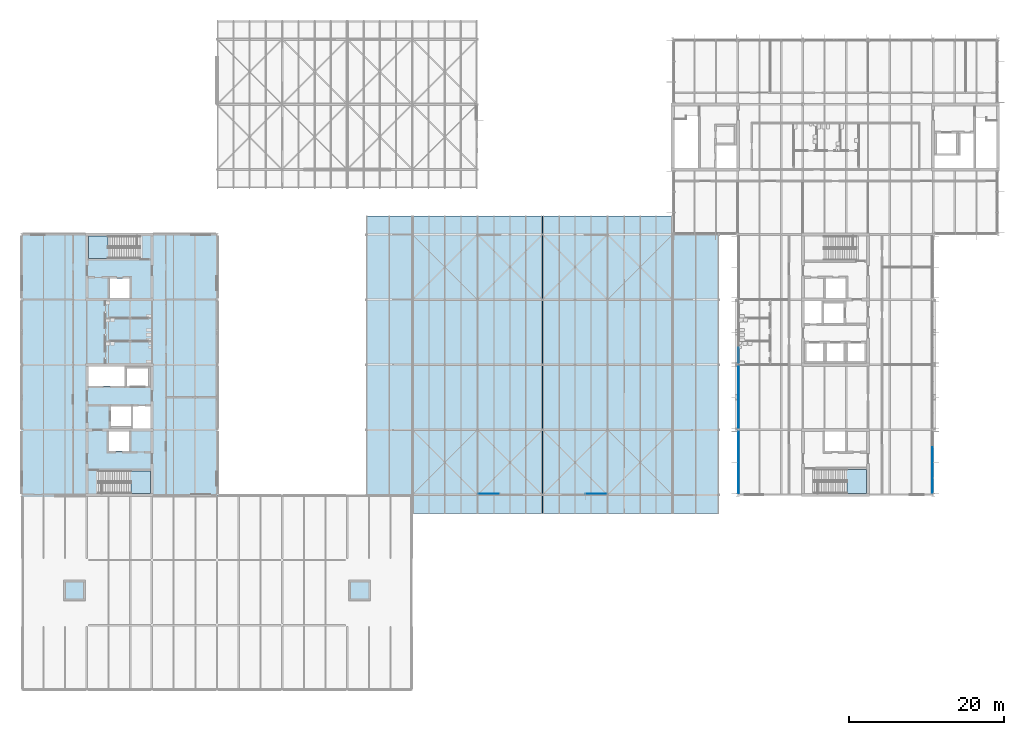
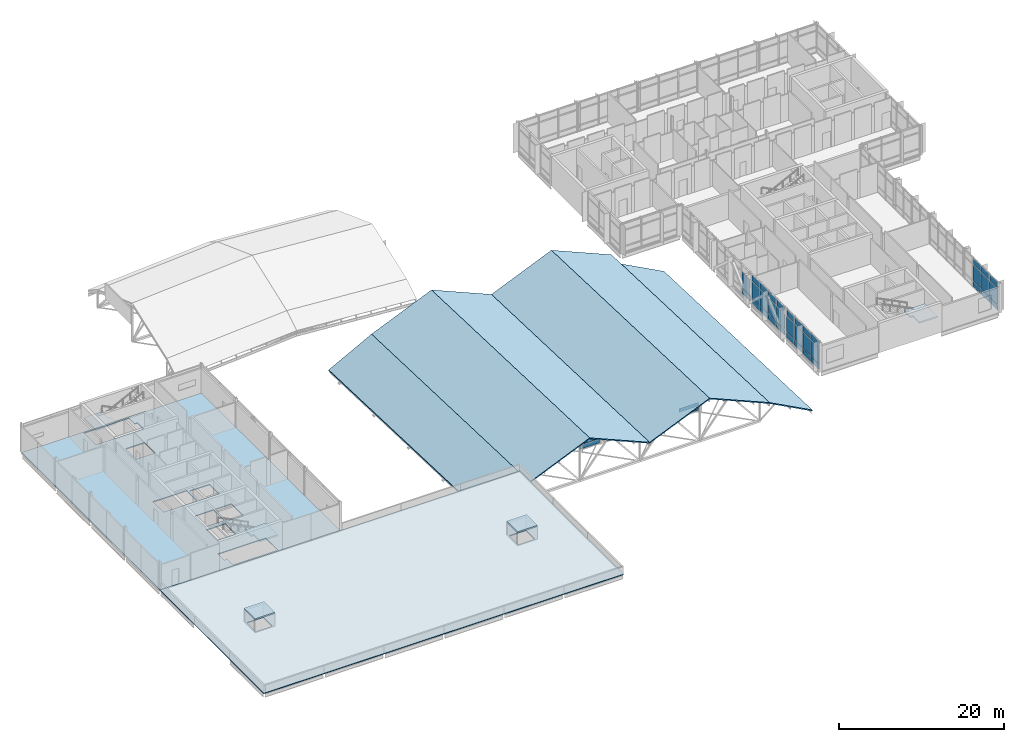
# One storey, part 27 of 76: 39 plates, 13 slabs, 9 elements without a shape of their own.
"""IFC4 building model written with IfcOpenShell, lengths in metres."""

from ifc_helpers import new_model, si_unit, direction, frame, origin, origin_2d, place, context, subcontext, project, spatial, polyline, rectangle, outline, extrude, material, layer, layer_set, type_object, element, aggregate, save


model = new_model("IFC4")

# Units and contexts
model_context = context("Model", 3, precision=1e-05, world=origin(), true_north=direction((0.0, 1.0)))
body_context = subcontext(model_context, "Body", "Model", "MODEL_VIEW")
ifc_project = project(units=[si_unit("LENGTHUNIT", "METRE"), si_unit("AREAUNIT", "SQUARE_METRE"), si_unit("VOLUMEUNIT", "CUBIC_METRE"), si_unit("PLANEANGLEUNIT", "RADIAN"), si_unit("MASSUNIT", "GRAM", prefix="KILO")], contexts=[model_context])

# Site, building, storey
site_placement = place(None, origin())
site = spatial("IfcSite", under=ifc_project, at=site_placement, CompositionType="ELEMENT")
building_placement = place(site_placement, origin())
building = spatial("IfcBuilding", under=site, at=building_placement, Name="Hlaing Beacon Police Headquarters", CompositionType="ELEMENT")
storey_placement = place(building_placement, frame((0.0, 0.0, 18.89990234375)))
storey = spatial("IfcBuildingStorey", under=building, at=storey_placement, Name="L04", CompositionType="ELEMENT", Elevation=18.89990234375)

# Curtain wall, plate
ifc_material_1 = material(Name="Aluminium frame with solar control glazing", Category="aluminium")
curtain_wall_type_1 = type_object("IfcCurtainWallType", Name="Unitised curtain wall 8.01 x 4.37", PredefinedType="NOTDEFINED", material=ifc_material_1)
curtain_wall_1_placement = place(storey_placement, origin())
curtain_wall_1 = element("IfcCurtainWall", 1, at=curtain_wall_1_placement, inside=storey, type_object=curtain_wall_type_1, Name="ENV-CW-L04-E004", PredefinedType="NOTDEFINED")
ifc_material_2 = material(Name="Solar control glazing", Category="glass")
ifc_layer_1 = layer(ifc_material_2, 0.0439453125)
ifc_layer_set_1 = layer_set([ifc_layer_1], Name="Solar control glazing")
plate_type_1 = type_object("IfcPlateType", Name="Clear glazing panel 44", PredefinedType="CURTAIN_PANEL", material=ifc_layer_set_1)
plate_1_placement = place(storey_placement, frame((125.89990234375, 36.806396484375, 0.9501953125), z_axis=(0.0, 0.0, 1.0), x_axis=(0.0, 1.0, 0.0)))
plate_1 = element("IfcPlate", 2, at=plate_1_placement, type_object=plate_type_1, Name="CW-L04-E004 panel 2.2", PredefinedType="CURTAIN_PANEL", context=body_context, shape_type="SweptSolid", body=[
    extrude(rectangle(XDim=1.942138671875, YDim=0.0439453125, at=origin_2d()), origin(), (0.0, 0.0, 1.0), 2.300048828125),
])

ifc_material_3 = material(Name="Aluminium frame with solar control glazing", Category="aluminium")
curtain_wall_type_2 = type_object("IfcCurtainWallType", Name="Unitised curtain wall 8.02 x 4.37", PredefinedType="NOTDEFINED", material=ifc_material_3)
curtain_wall_2_placement = place(storey_placement, origin())
curtain_wall_2 = element("IfcCurtainWall", 3, at=curtain_wall_2_placement, inside=storey, type_object=curtain_wall_type_2, Name="ENV-CW-L04-W020", PredefinedType="NOTDEFINED")
plate_2_placement = place(storey_placement, frame((100.889892578125, 51.60595703125, 0.9501953125), z_axis=(0.0, 0.0, 1.0), x_axis=(0.0, -1.0, 0.0)))
plate_2 = element("IfcPlate", 4, at=plate_2_placement, type_object=plate_type_1, Name="CW-L04-W020 panel 4.2", PredefinedType="CURTAIN_PANEL", context=body_context, shape_type="SweptSolid", body=[
    extrude(rectangle(XDim=1.916015625, YDim=0.0439453125, at=origin_2d()), origin(), (0.0, 0.0, 1.0), 2.300048828125),
])

# Curtain wall, plates
curtain_wall_3_placement = place(storey_placement, origin())
curtain_wall_3 = element("IfcCurtainWall", 5, at=curtain_wall_3_placement, inside=storey, type_object=curtain_wall_type_2, Name="ENV-CW-L04-W021", PredefinedType="NOTDEFINED")
plate_3_placement = place(storey_placement, frame((100.889892578125, 47.202880859375, 0.9501953125), z_axis=(0.0, 0.0, 1.0), x_axis=(0.0, -1.0, 0.0)))
plate_3 = element("IfcPlate", 6, at=plate_3_placement, type_object=plate_type_1, Name="CW-L04-W021 panel 2.2", PredefinedType="CURTAIN_PANEL", context=body_context, shape_type="SweptSolid", body=[
    extrude(rectangle(XDim=1.946044921875, YDim=0.0439453125, at=origin_2d()), origin(), (0.0, 0.0, 1.0), 2.300048828125),
])
plate_4_placement = place(storey_placement, frame((100.889892578125, 43.2060546875, 0.9501953125), z_axis=(0.0, 0.0, 1.0), x_axis=(0.0, -1.0, 0.0)))
plate_4 = element("IfcPlate", 7, at=plate_4_placement, type_object=plate_type_1, Name="CW-L04-W021 panel 4.2", PredefinedType="CURTAIN_PANEL", context=body_context, shape_type="SweptSolid", body=[
    extrude(rectangle(XDim=1.916015625, YDim=0.0439453125, at=origin_2d()), origin(), (0.0, 0.0, 1.0), 2.300048828125),
])

ifc_material_4 = material(Name="Aluminium frame with solar control glazing", Category="aluminium")
curtain_wall_type_3 = type_object("IfcCurtainWallType", Name="Unitised curtain wall 8.03 x 4.37", PredefinedType="NOTDEFINED", material=ifc_material_4)
curtain_wall_4_placement = place(storey_placement, origin())
curtain_wall_4 = element("IfcCurtainWall", 8, at=curtain_wall_4_placement, inside=storey, type_object=curtain_wall_type_3, Name="ENV-CW-L04-W022", PredefinedType="NOTDEFINED")
plate_5_placement = place(storey_placement, frame((100.89990234375, 38.801513671875, 0.9501953125), z_axis=(0.0, 0.0, 1.0), x_axis=(0.0, -1.0, 0.0)))
plate_5 = element("IfcPlate", 9, at=plate_5_placement, type_object=plate_type_1, Name="CW-L04-W022 panel 2.2", PredefinedType="CURTAIN_PANEL", context=body_context, shape_type="SweptSolid", body=[
    extrude(rectangle(XDim=1.947021484375, YDim=0.0439453125, at=origin_2d()), origin(), (0.0, 0.0, 1.0), 2.300048828125),
])
plate_6_placement = place(storey_placement, frame((100.89990234375, 34.802734375, 0.9501953125), z_axis=(0.0, 0.0, 1.0), x_axis=(0.0, -1.0, 0.0)))
plate_6 = element("IfcPlate", 10, at=plate_6_placement, type_object=plate_type_1, Name="CW-L04-W022 panel 4.2", PredefinedType="CURTAIN_PANEL", context=body_context, shape_type="SweptSolid", body=[
    extrude(rectangle(XDim=1.9169921875, YDim=0.0439453125, at=origin_2d()), origin(), (0.0, 0.0, 1.0), 2.300048828125),
])

# Slabs
ifc_material_5 = material(Name="Concrete C40/50", Category="concrete")
ifc_layer_2 = layer(ifc_material_5, 0.1298828125)
ifc_layer_set_2 = layer_set([ifc_layer_2], Name="Concrete C40/50")
slab_type_1 = type_object("IfcSlabType", Name="Composite deck slab 130", PredefinedType="FLOOR", material=ifc_layer_set_2)
slab_1_placement = place(storey_placement, frame((0.0, 0.0, -0.1298828125)))
element("IfcSlab", 11, at=slab_1_placement, inside=storey, type_object=slab_type_1, Name="STR-SLAB-L04-01", PredefinedType="FLOOR", context=body_context, shape_type="SweptSolid", body=[
    extrude(outline(polyline([(8.39990234375, 33.60009765625), (33.60009765625, 33.60009765625), (33.60009765625, 67.199951171875), (8.39990234375, 67.199951171875), (8.39990234375, 33.60009765625)]), holes=[polyline([(17.0, 47.64990234375), (21.699951171875, 47.64990234375), (21.699951171875, 50.199951171875), (17.0, 50.199951171875), (17.0, 47.64990234375)]), polyline([(17.0, 64.10009765625), (23.68994140625, 64.10009765625), (23.68994140625, 65.60009765625), (23.300048828125, 65.60009765625), (23.300048828125, 67.0), (17.0, 67.0), (17.0, 64.10009765625)]), polyline([(18.699951171875, 33.800048828125), (25.0, 33.800048828125), (25.0, 36.699951171875), (18.31005859375, 36.699951171875), (18.31005859375, 35.199951171875), (18.699951171875, 35.199951171875), (18.699951171875, 33.800048828125)]), polyline([(19.64990234375, 39.25), (22.25, 39.25), (22.25, 41.800048828125), (19.64990234375, 41.800048828125), (19.64990234375, 39.25)]), polyline([(19.75, 59.0), (22.35009765625, 59.0), (22.35009765625, 61.550048828125), (19.75, 61.550048828125), (19.75, 59.0)]), polyline([(19.89990234375, 42.449951171875), (22.5, 42.449951171875), (22.5, 45.050048828125), (19.89990234375, 45.050048828125), (19.89990234375, 42.449951171875)]), polyline([(21.949951171875, 47.64990234375), (24.75, 47.64990234375), (24.75, 49.949951171875), (21.949951171875, 49.949951171875), (21.949951171875, 47.64990234375)]), polyline([(22.75, 42.199951171875), (25.0, 42.199951171875), (25.0, 45.050048828125), (22.75, 45.050048828125), (22.75, 42.199951171875)])]), origin(), (0.0, 0.0, 1.0), 0.1298828125),
])
ifc_material_6 = material(Name="Steel ASTM A572 Grade 50", Category="steel")
ifc_layer_3 = layer(ifc_material_6, 0.14990234375)
ifc_layer_set_3 = layer_set([ifc_layer_3], Name="Steel ASTM A572 Grade 50")
slab_type_2 = type_object("IfcSlabType", Name="Folded roof plate 150", PredefinedType="ROOF", material=ifc_layer_set_3)
slab_2_placement = place(storey_placement, frame((52.800048828125, 33.60009765625, -3.5), z_axis=(-0.47036302789, 0.031504065731, 0.881910491964), x_axis=(0.882348461411, -4.98754e-07, 0.470596634758)))
element("IfcSlab", 12, at=slab_2_placement, inside=storey, type_object=slab_type_2, Name="STR-RP-V1-R1", PredefinedType="ROOF", context=body_context, shape_type="SweptSolid", body=[
    extrude(outline(polyline([(0.0, 0.0), (6.800091913096274, 2.7755575615628914e-17), (6.194824184538287, 36.017881511501564), (-0.605152836801455, 36.01787472504421), (0.0, 0.0)])), origin(), (-0.470596634758, 0.02779732933, -0.881910491964), 0.170166015625),
])
slab_3_placement = place(storey_placement, frame((58.800048828125, 31.199951171875, -0.2138671875), z_axis=(-0.393708681495, 0.032821204822, 0.918649140112), x_axis=(0.91914434433, 4.02741e-07, 0.393920898513)))
element("IfcSlab", 13, at=slab_3_placement, inside=storey, type_object=slab_type_2, Name="STR-RP-V1-R2", PredefinedType="ROOF", context=body_context, shape_type="SweptSolid", body=[
    extrude(outline(polyline([(0.0, 0.0), (9.13878026357561, -2.7755575615628914e-17), (8.598404730665806, 38.420842668246564), (-0.540471705004168, 38.420850033379224), (0.0, 0.0)])), origin(), (-0.393920898513, 0.030167583349, -0.918649140112), 0.163330078125),
])
slab_4_placement = place(storey_placement, frame((67.199951171875, 31.199951171875, 3.385986328125), z_axis=(0.39369901243, 0.032821352683, 0.918653278674), x_axis=(0.919148489588, -4.02735e-07, -0.39391122615)))
element("IfcSlab", 14, at=slab_4_placement, inside=storey, type_object=slab_type_2, Name="STR-RP-V1-R3", PredefinedType="ROOF", context=body_context, shape_type="SweptSolid", body=[
    extrude(outline(polyline([(0.0, 0.0), (9.139004665735756, 0.0), (9.679463099817934, 38.42085022006093), (0.540362264349231, 38.420842854861874), (0.0, 0.0)])), origin(), (0.39391122615, 0.030167855302, -0.918653278674), 0.163330078125),
])
slab_5_placement = place(storey_placement, frame((75.60009765625, 31.199951171875, -0.2138671875), z_axis=(-0.393708681495, 0.032821204822, 0.918649140112), x_axis=(0.91914434433, 4.02741e-07, 0.393920898513)))
element("IfcSlab", 15, at=slab_5_placement, inside=storey, type_object=slab_type_2, Name="STR-RP-V1-R4", PredefinedType="ROOF", context=body_context, shape_type="SweptSolid", body=[
    extrude(outline(polyline([(0.0, 0.0), (9.13878026357561, -2.7755575615628914e-17), (8.598404730665806, 38.420842668246564), (-0.540471705004168, 38.420850033379224), (0.0, 0.0)])), origin(), (-0.393920898513, 0.030167583349, -0.918649140112), 0.163330078125),
])
slab_6_placement = place(storey_placement, frame((84.0, 31.199951171875, 3.385986328125), z_axis=(0.393708681495, 0.032821204822, 0.918649140112), x_axis=(0.91914434433, -4.02741e-07, -0.393920898513)))
element("IfcSlab", 16, at=slab_6_placement, inside=storey, type_object=slab_type_2, Name="STR-RP-V1-R5", PredefinedType="ROOF", context=body_context, shape_type="SweptSolid", body=[
    extrude(outline(polyline([(0.0, 0.0), (9.13878026357561, 2.7755575615628914e-17), (9.679251968579777, 38.420850033379224), (0.5403755329098043, 38.42084266824657), (0.0, 0.0)])), origin(), (0.393920898513, 0.030167583349, -0.918649140112), 0.163330078125),
])
slab_7_placement = place(storey_placement, frame((92.39990234375, 31.199951171875, -0.2138671875), z_axis=(0.47034901051, 0.031507319084, 0.881917851705), x_axis=(0.882355922736, 0.0, -0.470582644828)))
element("IfcSlab", 17, at=slab_7_placement, inside=storey, type_object=slab_type_2, Name="STR-RP-V1-R6", PredefinedType="ROOF", context=body_context, shape_type="SweptSolid", body=[
    extrude(outline(polyline([(0.0, 0.0), (6.79997702219531, 0.0), (7.405208802701767, 36.017882115738765), (0.6052317805064573, 36.017882115738765), (0.0, 0.0)])), origin(), (0.470582644828, 0.027800669603, -0.881917851705), 0.170166015625),
])

# Plate
ifc_material_7 = material(Name="Fritted solar control glazing", Category="glass")
ifc_layer_4 = layer(ifc_material_7, 0.0439453125)
ifc_layer_set_4 = layer_set([ifc_layer_4], Name="Fritted solar control glazing")
plate_type_2 = type_object("IfcPlateType", Name="Fritted glazing panel 44", PredefinedType="CURTAIN_PANEL", material=ifc_layer_set_4)
plate_7_placement = place(storey_placement, frame((125.89990234375, 34.8193359375, 0.9501953125), z_axis=(0.0, 0.0, 1.0), x_axis=(0.0, 1.0, 0.0)))
plate_7 = element("IfcPlate", 18, at=plate_7_placement, type_object=plate_type_2, Name="CW-L04-E004 panel 1.2", PredefinedType="CURTAIN_PANEL", context=body_context, shape_type="SweptSolid", body=[
    extrude(rectangle(XDim=1.912109375, YDim=0.0439453125, at=origin_2d()), origin(), (0.0, 0.0, 1.0), 2.300048828125),
])

plate_8_placement = place(storey_placement, frame((125.89990234375, 38.80859375, 0.9501953125), z_axis=(0.0, 0.0, 1.0), x_axis=(0.0, 1.0, 0.0)))
plate_8 = element("IfcPlate", 19, at=plate_8_placement, type_object=plate_type_2, Name="CW-L04-E004 panel 3.2", PredefinedType="CURTAIN_PANEL", context=body_context, shape_type="SweptSolid", body=[
    extrude(rectangle(XDim=1.942138671875, YDim=0.0439453125, at=origin_2d()), origin(), (0.0, 0.0, 1.0), 2.300048828125),
])

plate_9_placement = place(storey_placement, frame((100.889892578125, 49.194091796875, 0.9501953125), z_axis=(0.0, 0.0, 1.0), x_axis=(0.0, -1.0, 0.0)))
plate_9 = element("IfcPlate", 20, at=plate_9_placement, type_object=plate_type_2, Name="CW-L04-W021 panel 1.2", PredefinedType="CURTAIN_PANEL", context=body_context, shape_type="SweptSolid", body=[
    extrude(rectangle(XDim=1.916015625, YDim=0.0439453125, at=origin_2d()), origin(), (0.0, 0.0, 1.0), 2.300048828125),
])

plate_10_placement = place(storey_placement, frame((100.889892578125, 45.197021484375, 0.9501953125), z_axis=(0.0, 0.0, 1.0), x_axis=(0.0, -1.0, 0.0)))
plate_10 = element("IfcPlate", 21, at=plate_10_placement, type_object=plate_type_2, Name="CW-L04-W021 panel 3.2", PredefinedType="CURTAIN_PANEL", context=body_context, shape_type="SweptSolid", body=[
    extrude(rectangle(XDim=1.946044921875, YDim=0.0439453125, at=origin_2d()), origin(), (0.0, 0.0, 1.0), 2.300048828125),
])

plate_11_placement = place(storey_placement, frame((100.89990234375, 40.79345703125, 0.9501953125), z_axis=(0.0, 0.0, 1.0), x_axis=(0.0, -1.0, 0.0)))
plate_11 = element("IfcPlate", 22, at=plate_11_placement, type_object=plate_type_2, Name="CW-L04-W022 panel 1.2", PredefinedType="CURTAIN_PANEL", context=body_context, shape_type="SweptSolid", body=[
    extrude(rectangle(XDim=1.9169921875, YDim=0.0439453125, at=origin_2d()), origin(), (0.0, 0.0, 1.0), 2.300048828125),
])

plate_12_placement = place(storey_placement, frame((100.89990234375, 36.794677734375, 0.9501953125), z_axis=(0.0, 0.0, 1.0), x_axis=(0.0, -1.0, 0.0)))
plate_12 = element("IfcPlate", 23, at=plate_12_placement, type_object=plate_type_2, Name="CW-L04-W022 panel 3.2", PredefinedType="CURTAIN_PANEL", context=body_context, shape_type="SweptSolid", body=[
    extrude(rectangle(XDim=1.947021484375, YDim=0.0439453125, at=origin_2d()), origin(), (0.0, 0.0, 1.0), 2.300048828125),
])

ifc_material_8 = material(Name="Insulated aluminium spandrel", Category="aluminium")
ifc_layer_5 = layer(ifc_material_8, 0.06005859375)
ifc_layer_set_5 = layer_set([ifc_layer_5], Name="Insulated aluminium spandrel")
plate_type_3 = type_object("IfcPlateType", Name="Insulated spandrel panel 60", PredefinedType="CURTAIN_PANEL", material=ifc_layer_set_5)
plate_13_placement = place(storey_placement, frame((125.89990234375, 34.8193359375, 0.10009765625), z_axis=(0.0, 0.0, 1.0), x_axis=(0.0, 1.0, 0.0)))
plate_13 = element("IfcPlate", 24, at=plate_13_placement, type_object=plate_type_3, Name="CW-L04-E004 panel 1.1", PredefinedType="CURTAIN_PANEL", context=body_context, shape_type="SweptSolid", body=[
    extrude(rectangle(XDim=1.912109375, YDim=0.06005859375, at=origin_2d()), origin(), (0.0, 0.0, 1.0), 0.75),
])

plate_14_placement = place(storey_placement, frame((125.89990234375, 36.806396484375, 0.10009765625), z_axis=(0.0, 0.0, 1.0), x_axis=(0.0, 1.0, 0.0)))
plate_14 = element("IfcPlate", 25, at=plate_14_placement, type_object=plate_type_3, Name="CW-L04-E004 panel 2.1", PredefinedType="CURTAIN_PANEL", context=body_context, shape_type="SweptSolid", body=[
    extrude(rectangle(XDim=1.942138671875, YDim=0.06005859375, at=origin_2d()), origin(), (0.0, 0.0, 1.0), 0.75),
])

plate_15_placement = place(storey_placement, frame((125.89990234375, 38.80859375, 0.10009765625), z_axis=(0.0, 0.0, 1.0), x_axis=(0.0, 1.0, 0.0)))
plate_15 = element("IfcPlate", 26, at=plate_15_placement, type_object=plate_type_3, Name="CW-L04-E004 panel 3.1", PredefinedType="CURTAIN_PANEL", context=body_context, shape_type="SweptSolid", body=[
    extrude(rectangle(XDim=1.942138671875, YDim=0.06005859375, at=origin_2d()), origin(), (0.0, 0.0, 1.0), 0.75),
])

ifc_material_9 = material(Name="Insulated aluminium spandrel", Category="aluminium")
ifc_layer_6 = layer(ifc_material_9, 0.080078125)
ifc_layer_set_6 = layer_set([ifc_layer_6], Name="Insulated aluminium spandrel")
plate_type_4 = type_object("IfcPlateType", Name="Insulated spandrel panel 80", PredefinedType="CURTAIN_PANEL", material=ifc_layer_set_6)
plate_16_placement = place(storey_placement, frame((100.889892578125, 51.60595703125, 0.10009765625), z_axis=(0.0, 0.0, 1.0), x_axis=(0.0, -1.0, 0.0)))
plate_16 = element("IfcPlate", 27, at=plate_16_placement, type_object=plate_type_4, Name="CW-L04-W020 panel 4.1", PredefinedType="CURTAIN_PANEL", context=body_context, shape_type="SweptSolid", body=[
    extrude(rectangle(XDim=1.916015625, YDim=0.080078125, at=origin_2d()), origin(), (0.0, 0.0, 1.0), 0.75),
])

aggregate(curtain_wall_2, [plate_16, plate_2])

plate_17_placement = place(storey_placement, frame((100.889892578125, 49.194091796875, 0.10009765625), z_axis=(0.0, 0.0, 1.0), x_axis=(0.0, -1.0, 0.0)))
plate_17 = element("IfcPlate", 28, at=plate_17_placement, type_object=plate_type_4, Name="CW-L04-W021 panel 1.1", PredefinedType="CURTAIN_PANEL", context=body_context, shape_type="SweptSolid", body=[
    extrude(rectangle(XDim=1.916015625, YDim=0.080078125, at=origin_2d()), origin(), (0.0, 0.0, 1.0), 0.75),
])

plate_18_placement = place(storey_placement, frame((100.889892578125, 47.202880859375, 0.10009765625), z_axis=(0.0, 0.0, 1.0), x_axis=(0.0, -1.0, 0.0)))
plate_18 = element("IfcPlate", 29, at=plate_18_placement, type_object=plate_type_4, Name="CW-L04-W021 panel 2.1", PredefinedType="CURTAIN_PANEL", context=body_context, shape_type="SweptSolid", body=[
    extrude(rectangle(XDim=1.946044921875, YDim=0.080078125, at=origin_2d()), origin(), (0.0, 0.0, 1.0), 0.75),
])

plate_19_placement = place(storey_placement, frame((100.889892578125, 45.197021484375, 0.10009765625), z_axis=(0.0, 0.0, 1.0), x_axis=(0.0, -1.0, 0.0)))
plate_19 = element("IfcPlate", 30, at=plate_19_placement, type_object=plate_type_4, Name="CW-L04-W021 panel 3.1", PredefinedType="CURTAIN_PANEL", context=body_context, shape_type="SweptSolid", body=[
    extrude(rectangle(XDim=1.946044921875, YDim=0.080078125, at=origin_2d()), origin(), (0.0, 0.0, 1.0), 0.75),
])

plate_20_placement = place(storey_placement, frame((100.889892578125, 43.2060546875, 0.10009765625), z_axis=(0.0, 0.0, 1.0), x_axis=(0.0, -1.0, 0.0)))
plate_20 = element("IfcPlate", 31, at=plate_20_placement, type_object=plate_type_4, Name="CW-L04-W021 panel 4.1", PredefinedType="CURTAIN_PANEL", context=body_context, shape_type="SweptSolid", body=[
    extrude(rectangle(XDim=1.916015625, YDim=0.080078125, at=origin_2d()), origin(), (0.0, 0.0, 1.0), 0.75),
])

plate_21_placement = place(storey_placement, frame((100.89990234375, 40.79345703125, 0.10009765625), z_axis=(0.0, 0.0, 1.0), x_axis=(0.0, -1.0, 0.0)))
plate_21 = element("IfcPlate", 32, at=plate_21_placement, type_object=plate_type_4, Name="CW-L04-W022 panel 1.1", PredefinedType="CURTAIN_PANEL", context=body_context, shape_type="SweptSolid", body=[
    extrude(rectangle(XDim=1.9169921875, YDim=0.080078125, at=origin_2d()), origin(), (0.0, 0.0, 1.0), 0.75),
])

plate_22_placement = place(storey_placement, frame((100.89990234375, 38.801513671875, 0.10009765625), z_axis=(0.0, 0.0, 1.0), x_axis=(0.0, -1.0, 0.0)))
plate_22 = element("IfcPlate", 33, at=plate_22_placement, type_object=plate_type_4, Name="CW-L04-W022 panel 2.1", PredefinedType="CURTAIN_PANEL", context=body_context, shape_type="SweptSolid", body=[
    extrude(rectangle(XDim=1.947021484375, YDim=0.080078125, at=origin_2d()), origin(), (0.0, 0.0, 1.0), 0.75),
])

plate_23_placement = place(storey_placement, frame((100.89990234375, 36.794677734375, 0.10009765625), z_axis=(0.0, 0.0, 1.0), x_axis=(0.0, -1.0, 0.0)))
plate_23 = element("IfcPlate", 34, at=plate_23_placement, type_object=plate_type_4, Name="CW-L04-W022 panel 3.1", PredefinedType="CURTAIN_PANEL", context=body_context, shape_type="SweptSolid", body=[
    extrude(rectangle(XDim=1.947021484375, YDim=0.080078125, at=origin_2d()), origin(), (0.0, 0.0, 1.0), 0.75),
])

plate_24_placement = place(storey_placement, frame((100.89990234375, 34.802734375, 0.10009765625), z_axis=(0.0, 0.0, 1.0), x_axis=(0.0, -1.0, 0.0)))
plate_24 = element("IfcPlate", 35, at=plate_24_placement, type_object=plate_type_4, Name="CW-L04-W022 panel 4.1", PredefinedType="CURTAIN_PANEL", context=body_context, shape_type="SweptSolid", body=[
    extrude(rectangle(XDim=1.9169921875, YDim=0.080078125, at=origin_2d()), origin(), (0.0, 0.0, 1.0), 0.75),
])

# Curtain wall, plates
ifc_material_10 = material(Name="Aluminium frame with solar control glazing", Category="aluminium")
curtain_wall_type_4 = type_object("IfcCurtainWallType", Name="Structural glazed gable wall 2.92 x 1.35", PredefinedType="NOTDEFINED", material=ifc_material_10)
curtain_wall_5_placement = place(storey_placement, origin())
curtain_wall_5 = element("IfcCurtainWall", 36, at=curtain_wall_5_placement, inside=storey, type_object=curtain_wall_type_4, Name="ENV-CW-L04-S001", PredefinedType="NOTDEFINED")
ifc_material_11 = material(Name="Laminated solar control glazing", Category="glass")
ifc_layer_7 = layer(ifc_material_11, 0.02392578125)
ifc_layer_set_7 = layer_set([ifc_layer_7], Name="Laminated solar control glazing")
plate_type_5 = type_object("IfcPlateType", Name="Laminated glazing panel 24", PredefinedType="CURTAIN_PANEL", material=ifc_layer_set_7)
plate_25_placement = place(storey_placement, frame((68.658447265625, 33.75, 0.10009765625), z_axis=(0.0, 0.0, 1.0), x_axis=(1.0, 0.0, 0.0)))
plate_25 = element("IfcPlate", 37, at=plate_25_placement, type_object=plate_type_5, Name="CW-L04-S001 panel 1.1", PredefinedType="CURTAIN_PANEL", context=body_context, shape_type="SweptSolid", body=[
    extrude(rectangle(XDim=2.756591796875, YDim=0.02392578125, at=origin_2d()), origin(), (0.0, 0.0, 1.0), 0.52490234375),
])
plate_26_placement = place(storey_placement, frame((68.658447265625, 33.75, 0.72509765625), z_axis=(0.0, 0.0, 1.0), x_axis=(1.0, 0.0, 0.0)))
plate_26 = element("IfcPlate", 38, at=plate_26_placement, type_object=plate_type_5, Name="CW-L04-S001 panel 1.2", PredefinedType="CURTAIN_PANEL", context=body_context, shape_type="SweptSolid", body=[
    extrude(rectangle(XDim=2.756591796875, YDim=0.02392578125, at=origin_2d()), origin(), (0.0, 0.0, 1.0), 0.52490234375),
])
aggregate(curtain_wall_5, [plate_25, plate_26])

curtain_wall_6_placement = place(storey_placement, origin())
curtain_wall_6 = element("IfcCurtainWall", 39, at=curtain_wall_6_placement, inside=storey, type_object=curtain_wall_type_4, Name="ENV-CW-L04-S002", PredefinedType="NOTDEFINED")
plate_27_placement = place(storey_placement, frame((82.541748046875, 33.75, 0.10009765625), z_axis=(0.0, 0.0, 1.0), x_axis=(1.0, 0.0, 0.0)))
plate_27 = element("IfcPlate", 40, at=plate_27_placement, type_object=plate_type_5, Name="CW-L04-S002 panel 1.1", PredefinedType="CURTAIN_PANEL", context=body_context, shape_type="SweptSolid", body=[
    extrude(rectangle(XDim=2.756591796875, YDim=0.02392578125, at=origin_2d()), origin(), (0.0, 0.0, 1.0), 0.52490234375),
])
plate_28_placement = place(storey_placement, frame((82.541748046875, 33.75, 0.72509765625), z_axis=(0.0, 0.0, 1.0), x_axis=(1.0, 0.0, 0.0)))
plate_28 = element("IfcPlate", 41, at=plate_28_placement, type_object=plate_type_5, Name="CW-L04-S002 panel 1.2", PredefinedType="CURTAIN_PANEL", context=body_context, shape_type="SweptSolid", body=[
    extrude(rectangle(XDim=2.756591796875, YDim=0.02392578125, at=origin_2d()), origin(), (0.0, 0.0, 1.0), 0.52490234375),
])
aggregate(curtain_wall_6, [plate_27, plate_28])

# Slabs
ifc_material_12 = material(Name="Concrete C40/50", Category="concrete")
ifc_layer_8 = layer(ifc_material_12, 0.199951171875)
ifc_layer_set_8 = layer_set([ifc_layer_8], Name="Concrete C40/50")
slab_type_3 = type_object("IfcSlabType", Name="Overrun roof slab 200", PredefinedType="ROOF", material=ifc_layer_set_8)
slab_8_placement = place(storey_placement, frame((0.0, 0.0, 1.900146484375)))
element("IfcSlab", 42, at=slab_8_placement, inside=storey, type_object=slab_type_3, Name="Lift overrun roof", PredefinedType="ROOF", context=body_context, shape_type="SweptSolid", body=[
    extrude(outline(polyline([(13.800048828125, 19.949951171875), (16.60009765625, 19.949951171875), (16.60009765625, 22.60009765625), (13.800048828125, 22.60009765625), (13.800048828125, 19.949951171875)])), origin(), (0.0, 0.0, 1.0), 0.199951171875),
])
slab_9_placement = place(storey_placement, frame((0.0, 0.0, 1.900146484375)))
element("IfcSlab", 43, at=slab_9_placement, inside=storey, type_object=slab_type_3, Name="Lift overrun roof", PredefinedType="ROOF", context=body_context, shape_type="SweptSolid", body=[
    extrude(outline(polyline([(50.60009765625, 19.949951171875), (53.39990234375, 19.949951171875), (53.39990234375, 22.60009765625), (50.60009765625, 22.60009765625), (50.60009765625, 19.949951171875)])), origin(), (0.0, 0.0, 1.0), 0.199951171875),
])

# Plate
ifc_material_13 = material(Name="Perforated aluminium", Category="aluminium")
ifc_layer_9 = layer(ifc_material_13, 0.00390625)
ifc_layer_set_9 = layer_set([ifc_layer_9], Name="Perforated aluminium")
plate_type_6 = type_object("IfcPlateType", Name="Perforated aluminium vent panel 4", PredefinedType="CURTAIN_PANEL", material=ifc_layer_set_9)
plate_29_placement = place(storey_placement, frame((125.89990234375, 34.8193359375, 3.35009765625), z_axis=(0.0, 0.0, 1.0), x_axis=(0.0, 1.0, 0.0)))
plate_29 = element("IfcPlate", 44, at=plate_29_placement, type_object=plate_type_6, Name="CW-L04-E004 panel 1.3", PredefinedType="CURTAIN_PANEL", context=body_context, shape_type="SweptSolid", body=[
    extrude(rectangle(XDim=1.912109375, YDim=0.00390625, at=origin_2d()), origin(), (0.0, 0.0, 1.0), 0.919921875),
])

plate_30_placement = place(storey_placement, frame((125.89990234375, 36.806396484375, 3.35009765625), z_axis=(0.0, 0.0, 1.0), x_axis=(0.0, 1.0, 0.0)))
plate_30 = element("IfcPlate", 45, at=plate_30_placement, type_object=plate_type_6, Name="CW-L04-E004 panel 2.3", PredefinedType="CURTAIN_PANEL", context=body_context, shape_type="SweptSolid", body=[
    extrude(rectangle(XDim=1.942138671875, YDim=0.00390625, at=origin_2d()), origin(), (0.0, 0.0, 1.0), 0.919921875),
])

plate_31_placement = place(storey_placement, frame((125.89990234375, 38.80859375, 3.35009765625), z_axis=(0.0, 0.0, 1.0), x_axis=(0.0, 1.0, 0.0)))
plate_31 = element("IfcPlate", 46, at=plate_31_placement, type_object=plate_type_6, Name="CW-L04-E004 panel 3.3", PredefinedType="CURTAIN_PANEL", context=body_context, shape_type="SweptSolid", body=[
    extrude(rectangle(XDim=1.942138671875, YDim=0.00390625, at=origin_2d()), origin(), (0.0, 0.0, 1.0), 0.919921875),
])

aggregate(curtain_wall_1, [plate_13, plate_7, plate_29, plate_14, plate_1, plate_30, plate_15, plate_8, plate_31])

plate_32_placement = place(storey_placement, frame((100.889892578125, 49.194091796875, 3.35009765625), z_axis=(0.0, 0.0, 1.0), x_axis=(0.0, -1.0, 0.0)))
plate_32 = element("IfcPlate", 47, at=plate_32_placement, type_object=plate_type_6, Name="CW-L04-W021 panel 1.3", PredefinedType="CURTAIN_PANEL", context=body_context, shape_type="SweptSolid", body=[
    extrude(rectangle(XDim=1.916015625, YDim=0.00390625, at=origin_2d()), origin(), (0.0, 0.0, 1.0), 0.919921875),
])

plate_33_placement = place(storey_placement, frame((100.889892578125, 47.202880859375, 3.35009765625), z_axis=(0.0, 0.0, 1.0), x_axis=(0.0, -1.0, 0.0)))
plate_33 = element("IfcPlate", 48, at=plate_33_placement, type_object=plate_type_6, Name="CW-L04-W021 panel 2.3", PredefinedType="CURTAIN_PANEL", context=body_context, shape_type="SweptSolid", body=[
    extrude(rectangle(XDim=1.946044921875, YDim=0.00390625, at=origin_2d()), origin(), (0.0, 0.0, 1.0), 0.919921875),
])

plate_34_placement = place(storey_placement, frame((100.889892578125, 45.197021484375, 3.35009765625), z_axis=(0.0, 0.0, 1.0), x_axis=(0.0, -1.0, 0.0)))
plate_34 = element("IfcPlate", 49, at=plate_34_placement, type_object=plate_type_6, Name="CW-L04-W021 panel 3.3", PredefinedType="CURTAIN_PANEL", context=body_context, shape_type="SweptSolid", body=[
    extrude(rectangle(XDim=1.946044921875, YDim=0.00390625, at=origin_2d()), origin(), (0.0, 0.0, 1.0), 0.919921875),
])

plate_35_placement = place(storey_placement, frame((100.889892578125, 43.2060546875, 3.35009765625), z_axis=(0.0, 0.0, 1.0), x_axis=(0.0, -1.0, 0.0)))
plate_35 = element("IfcPlate", 50, at=plate_35_placement, type_object=plate_type_6, Name="CW-L04-W021 panel 4.3", PredefinedType="CURTAIN_PANEL", context=body_context, shape_type="SweptSolid", body=[
    extrude(rectangle(XDim=1.916015625, YDim=0.00390625, at=origin_2d()), origin(), (0.0, 0.0, 1.0), 0.919921875),
])

aggregate(curtain_wall_3, [plate_17, plate_9, plate_32, plate_18, plate_3, plate_33, plate_19, plate_10, plate_34, plate_20, plate_4, plate_35])

plate_36_placement = place(storey_placement, frame((100.89990234375, 40.79345703125, 3.35009765625), z_axis=(0.0, 0.0, 1.0), x_axis=(0.0, -1.0, 0.0)))
plate_36 = element("IfcPlate", 51, at=plate_36_placement, type_object=plate_type_6, Name="CW-L04-W022 panel 1.3", PredefinedType="CURTAIN_PANEL", context=body_context, shape_type="SweptSolid", body=[
    extrude(rectangle(XDim=1.9169921875, YDim=0.00390625, at=origin_2d()), origin(), (0.0, 0.0, 1.0), 0.919921875),
])

plate_37_placement = place(storey_placement, frame((100.89990234375, 38.801513671875, 3.35009765625), z_axis=(0.0, 0.0, 1.0), x_axis=(0.0, -1.0, 0.0)))
plate_37 = element("IfcPlate", 52, at=plate_37_placement, type_object=plate_type_6, Name="CW-L04-W022 panel 2.3", PredefinedType="CURTAIN_PANEL", context=body_context, shape_type="SweptSolid", body=[
    extrude(rectangle(XDim=1.947021484375, YDim=0.00390625, at=origin_2d()), origin(), (0.0, 0.0, 1.0), 0.919921875),
])

plate_38_placement = place(storey_placement, frame((100.89990234375, 36.794677734375, 3.35009765625), z_axis=(0.0, 0.0, 1.0), x_axis=(0.0, -1.0, 0.0)))
plate_38 = element("IfcPlate", 53, at=plate_38_placement, type_object=plate_type_6, Name="CW-L04-W022 panel 3.3", PredefinedType="CURTAIN_PANEL", context=body_context, shape_type="SweptSolid", body=[
    extrude(rectangle(XDim=1.947021484375, YDim=0.00390625, at=origin_2d()), origin(), (0.0, 0.0, 1.0), 0.919921875),
])

plate_39_placement = place(storey_placement, frame((100.89990234375, 34.802734375, 3.35009765625), z_axis=(0.0, 0.0, 1.0), x_axis=(0.0, -1.0, 0.0)))
plate_39 = element("IfcPlate", 54, at=plate_39_placement, type_object=plate_type_6, Name="CW-L04-W022 panel 4.3", PredefinedType="CURTAIN_PANEL", context=body_context, shape_type="SweptSolid", body=[
    extrude(rectangle(XDim=1.9169921875, YDim=0.00390625, at=origin_2d()), origin(), (0.0, 0.0, 1.0), 0.919921875),
])

aggregate(curtain_wall_4, [plate_21, plate_11, plate_36, plate_22, plate_5, plate_37, plate_23, plate_12, plate_38, plate_24, plate_6, plate_39])

# Slab
ifc_material_14 = material(Name="Concrete C40/50", Category="concrete")
ifc_layer_10 = layer(ifc_material_14, 0.1298828125)
ifc_layer_set_10 = layer_set([ifc_layer_10], Name="Concrete C40/50")
slab_type_4 = type_object("IfcSlabType", Name="Roof deck slab 130", PredefinedType="ROOF", material=ifc_layer_set_10)
slab_10_placement = place(storey_placement, frame((0.0, 0.0, -0.1298828125)))
element("IfcSlab", 55, at=slab_10_placement, inside=storey, type_object=slab_type_4, Name="STR-SLAB-L04-03", PredefinedType="ROOF", context=body_context, shape_type="SweptSolid", body=[
    extrude(outline(polyline([(8.39990234375, 8.39990234375), (58.800048828125, 8.39990234375), (58.800048828125, 33.60009765625), (8.39990234375, 33.60009765625), (8.39990234375, 8.39990234375)]), holes=[polyline([(14.050048828125, 20.199951171875), (16.35009765625, 20.199951171875), (16.35009765625, 22.35009765625), (14.050048828125, 22.35009765625), (14.050048828125, 20.199951171875)]), polyline([(50.85009765625, 20.199951171875), (53.14990234375, 20.199951171875), (53.14990234375, 22.35009765625), (50.85009765625, 22.35009765625), (50.85009765625, 20.199951171875)])]), origin(), (0.0, 0.0, 1.0), 0.1298828125),
])

# Stair, slab
ifc_material_15 = material(Name="Concrete C40/50", Category="concrete")
stair_type_1 = type_object("IfcStairType", Name="Half-turn stair 1500 wide, 4500 rise", PredefinedType="HALF_TURN_STAIR", material=ifc_material_15)
stair_1_placement = place(storey_placement, origin())
stair_1 = element("IfcStair", 56, at=stair_1_placement, inside=storey, type_object=stair_type_1, Name="Stair ST-L", PredefinedType="HALF_TURN_STAIR")
ifc_material_16 = material(Name="Concrete C40/50", Category="concrete")
ifc_layer_11 = layer(ifc_material_16, 0.219970703125)
ifc_layer_set_11 = layer_set([ifc_layer_11], Name="Concrete C40/50")
slab_type_5 = type_object("IfcSlabType", Name="Stair landing 220", PredefinedType="LANDING", material=ifc_layer_set_11)
slab_11_placement = place(storey_placement, frame((0.0, 0.0, 2.030029296875)))
slab_11 = element("IfcSlab", 57, at=slab_11_placement, type_object=slab_type_5, Name="ST-L landing 1", PredefinedType="LANDING", context=body_context, shape_type="SweptSolid", body=[
    extrude(outline(polyline([(114.889892578125, 33.800048828125), (117.39990234375, 33.800048828125), (117.39990234375, 36.89990234375), (114.5, 36.89990234375), (114.5, 35.39990234375), (114.889892578125, 35.39990234375), (114.889892578125, 33.800048828125)])), origin(), (0.0, 0.0, 1.0), 0.219970703125),
])
aggregate(stair_1, [slab_11])

ifc_material_17 = material(Name="Concrete C40/50", Category="concrete")
stair_type_2 = type_object("IfcStairType", Name="Half-turn stair 1400 wide, 4500 rise", PredefinedType="HALF_TURN_STAIR", material=ifc_material_17)
stair_2_placement = place(storey_placement, origin())
stair_2 = element("IfcStair", 58, at=stair_2_placement, inside=storey, type_object=stair_type_2, Name="Stair ST-P", PredefinedType="HALF_TURN_STAIR")
slab_12_placement = place(storey_placement, frame((0.0, 0.0, 2.030029296875)))
slab_12 = element("IfcSlab", 59, at=slab_12_placement, type_object=slab_type_5, Name="ST-P landing 1", PredefinedType="LANDING", context=body_context, shape_type="SweptSolid", body=[
    extrude(outline(polyline([(19.510009765625, 67.0), (17.0, 67.0), (17.0, 64.10009765625), (19.89990234375, 64.10009765625), (19.89990234375, 65.5), (19.510009765625, 65.5), (19.510009765625, 67.0)])), origin(), (0.0, 0.0, 1.0), 0.219970703125),
])
aggregate(stair_2, [slab_12])

stair_3_placement = place(storey_placement, origin())
stair_3 = element("IfcStair", 60, at=stair_3_placement, inside=storey, type_object=stair_type_2, Name="Stair ST-N", PredefinedType="HALF_TURN_STAIR")
slab_13_placement = place(storey_placement, frame((0.0, 0.0, 2.030029296875)))
slab_13 = element("IfcSlab", 61, at=slab_13_placement, type_object=slab_type_5, Name="ST-N landing 1", PredefinedType="LANDING", context=body_context, shape_type="SweptSolid", body=[
    extrude(outline(polyline([(22.489990234375, 33.800048828125), (25.0, 33.800048828125), (25.0, 36.699951171875), (22.10009765625, 36.699951171875), (22.10009765625, 35.300048828125), (22.489990234375, 35.300048828125), (22.489990234375, 33.800048828125)])), origin(), (0.0, 0.0, 1.0), 0.219970703125),
])
aggregate(stair_3, [slab_13])

save(model, "model.ifc")
